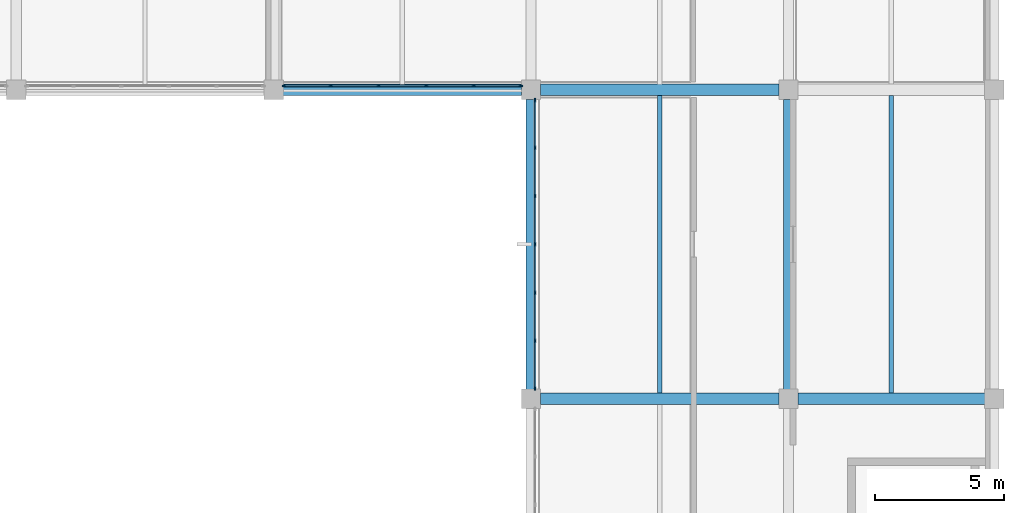
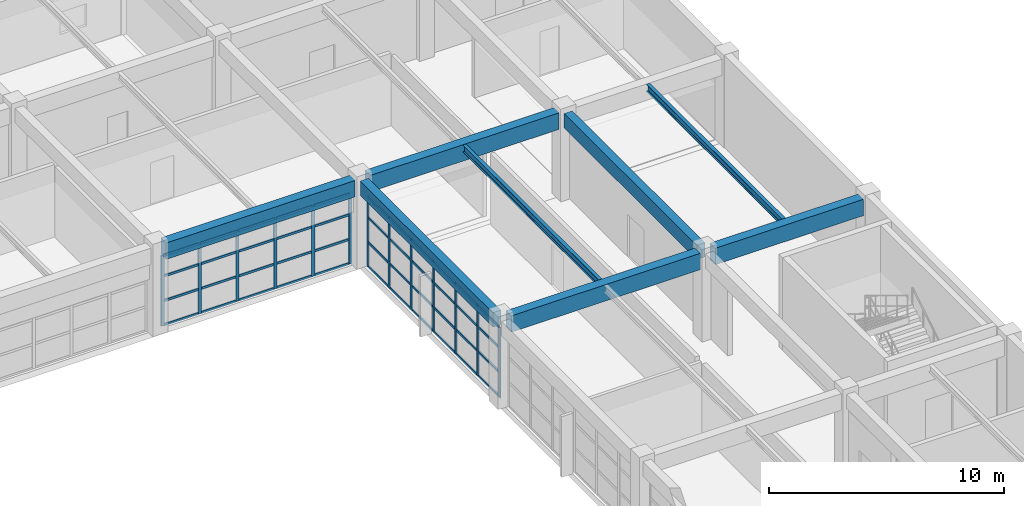
# One storey, part 59 of 109: 57 members, 8 beams, 2 elements without a shape of their own.
"""IFC4 building model written with IfcOpenShell, lengths in metres."""

from ifc_helpers import new_model, si_unit, direction, frame, origin, origin_2d, place, context, subcontext, project, spatial, rectangle, i_section, extrude, material, layer, layer_set, material_profile, profile_set, type_object, element, aggregate, save


model = new_model("IFC4")

# Units and contexts
model_context = context("Model", 3, precision=1e-05, world=origin(), true_north=direction((0.0, 1.0)))
body_context = subcontext(model_context, "Body", "Model", "MODEL_VIEW")
ifc_project = project(units=[si_unit("LENGTHUNIT", "METRE"), si_unit("AREAUNIT", "SQUARE_METRE"), si_unit("VOLUMEUNIT", "CUBIC_METRE"), si_unit("PLANEANGLEUNIT", "RADIAN"), si_unit("MASSUNIT", "GRAM", prefix="KILO")], contexts=[model_context])

# Site, building, storey
site_placement = place(None, origin())
site = spatial("IfcSite", under=ifc_project, at=site_placement, CompositionType="ELEMENT")
building_placement = place(site_placement, origin())
building = spatial("IfcBuilding", under=site, at=building_placement, Name="Kivolera Central Railway Station", CompositionType="ELEMENT")
storey_placement = place(building_placement, frame((0.0, 0.0, 9.60009765625)))
storey = spatial("IfcBuildingStorey", under=building, at=storey_placement, Name="L02", CompositionType="ELEMENT", Elevation=9.60009765625)

# Beams
ifc_material_1 = material(Name="Steel S355", Category="steel")
ifc_material_profile_1 = material_profile(ifc_material_1, i_section(OverallWidth=0.169921875, OverallDepth=0.360107421875, WebThickness=0.008056640625, FlangeThickness=0.0126953125, FilletRadius=0.01806640625, at=origin_2d()), Name="IPE 360")
ifc_profile_set_1 = profile_set([ifc_material_profile_1], Name="Steel S355")
beam_type_1 = type_object("IfcBeamType", Name="BM-JST-IPE360", PredefinedType="JOIST", material=ifc_profile_set_1)
for number, where, z_axis, x_axis, name in (
    (1, (183.0, 102.217041015625, 4.327880859375), (0.0, 1.0, 0.0), (-1.0, 0.0, 0.0), "L02 Floor Joist 18-19/J-K"),
    (2, (192.0, 102.217041015625, 4.327880859375), (0.0, 1.0, 0.0), (-1.0, 0.0, 0.0), "L02 Floor Joist 19-20/J-K"),
):
    element("IfcBeam", number, at=place(storey_placement, frame(where, z_axis=z_axis, x_axis=x_axis)), inside=storey, type_object=beam_type_1, Name=name, PredefinedType="JOIST", context=body_context, shape_type="SweptSolid", body=[
        extrude(i_section(OverallWidth=0.169921875, OverallDepth=0.360107421875, WebThickness=0.008056640625, FlangeThickness=0.0126953125, FilletRadius=0.01806640625, at=origin_2d()), origin(), (0.0, 0.0, 1.0), 11.56591796875),
    ])
ifc_material_2 = material(Name="Concrete C40/50", Category="concrete")
ifc_material_profile_2 = material_profile(ifc_material_2, rectangle(XDim=0.39990234375, YDim=0.75, at=origin_2d()), Name="RC 400x750")
ifc_profile_set_2 = profile_set([ifc_material_profile_2], Name="Concrete C40/50")
beam_type_2 = type_object("IfcBeamType", Name="BM-RC-400x750", PredefinedType="BEAM", material=ifc_profile_set_2)
for number, where, z_axis, x_axis, name in (
    (3, (178.0, 102.366943359375, 4.14501953125), (0.0, 1.0, 0.0), (-1.0, 0.0, 0.0), "L02 Wing Y-Beam 18:J-K"),
    (4, (188.0, 102.366943359375, 4.14501953125), (0.0, 1.0, 0.0), (-1.0, 0.0, 0.0), "L02 Wing Y-Beam 19:J-K"),
):
    element("IfcBeam", number, at=place(storey_placement, frame(where, z_axis=z_axis, x_axis=x_axis)), inside=storey, type_object=beam_type_2, Name=name, PredefinedType="BEAM", context=body_context, shape_type="SweptSolid", body=[
        extrude(rectangle(XDim=0.39990234375, YDim=0.75, at=origin_2d()), origin(), (0.0, 0.0, 1.0), 11.26611328125),
    ])
ifc_material_profile_3 = material_profile(ifc_material_2, rectangle(XDim=0.449951171875, YDim=0.85009765625, at=origin_2d()), Name="RC 450x850")
ifc_profile_set_3 = profile_set([ifc_material_profile_3], Name="Concrete C40/50")
beam_type_3 = type_object("IfcBeamType", Name="BM-RC-450x850", PredefinedType="BEAM", material=ifc_profile_set_3)
beam_1_placement = place(storey_placement, frame((178.366943359375, 102.0, 4.094970703125), z_axis=(1.0, 0.0, 0.0), x_axis=(0.0, 1.0, 0.0)))
element("IfcBeam", 5, at=beam_1_placement, inside=storey, type_object=beam_type_3, Name="L02 Wing X-Beam J:18-19", PredefinedType="BEAM", context=body_context, shape_type="SweptSolid", body=[
    extrude(rectangle(XDim=0.449951171875, YDim=0.85009765625, at=origin_2d()), origin(), (0.0, 0.0, 1.0), 9.26611328125),
])
beam_2_placement = place(storey_placement, frame((188.366943359375, 102.0, 4.094970703125), z_axis=(1.0, 0.0, 0.0), x_axis=(0.0, 1.0, 0.0)))
element("IfcBeam", 6, at=beam_2_placement, inside=storey, type_object=beam_type_3, Name="L02 Wing X-Beam J:19-20", PredefinedType="BEAM", context=body_context, shape_type="SweptSolid", body=[
    extrude(rectangle(XDim=0.449951171875, YDim=0.85009765625, at=origin_2d()), origin(), (0.0, 0.0, 1.0), 7.26611328125),
])
for number, where, z_axis, x_axis, name in (
    (7, (168.366943359375, 114.0, 4.094970703125), (1.0, 0.0, 0.0), (0.0, 1.0, 0.0), "L02 Wing X-Beam K:17-18"),
    (8, (178.366943359375, 114.0, 4.094970703125), (1.0, 0.0, 0.0), (0.0, 1.0, 0.0), "L02 Wing X-Beam K:18-19"),
):
    element("IfcBeam", number, at=place(storey_placement, frame(where, z_axis=z_axis, x_axis=x_axis)), inside=storey, type_object=beam_type_3, Name=name, PredefinedType="BEAM", context=body_context, shape_type="SweptSolid", body=[
        extrude(rectangle(XDim=0.449951171875, YDim=0.85009765625, at=origin_2d()), origin(), (0.0, 0.0, 1.0), 9.26611328125),
    ])

# Curtain wall, members
ifc_material_3 = material(Name="Anodised aluminium", Category="aluminium")
ifc_layer_1 = layer(ifc_material_3, 0.179931640625, Name="Anodised aluminium")
ifc_layer_set_1 = layer_set([ifc_layer_1], Name="Anodised aluminium")
curtain_wall_type_1 = type_object("IfcCurtainWallType", Name="CW-SYS-27", PredefinedType="NOTDEFINED", material=ifc_layer_set_1)
curtain_wall_1_placement = place(storey_placement, origin())
curtain_wall_1 = element("IfcCurtainWall", 9, at=curtain_wall_1_placement, inside=storey, type_object=curtain_wall_type_1, Name="L02 Curtain Wall CW-L02-CRTN-168", PredefinedType="NOTDEFINED")
ifc_material_profile_4 = material_profile(ifc_material_3, rectangle(XDim=0.06005859375, YDim=0.14990234375, at=origin_2d()), Name="ALU MULL 60x150")
ifc_profile_set_4 = profile_set([ifc_material_profile_4], Name="Anodised aluminium")
member_type_1 = type_object("IfcMemberType", Name="CWM-MUL-2", PredefinedType="MULLION", material=ifc_profile_set_4)
member_1_placement = place(storey_placement, frame((177.60009765625, 114.153076171875, -0.005126953125), z_axis=(0.0, 0.0, 1.0), x_axis=(0.0, -1.0, 0.0)))
member_1 = element("IfcMember", 10, at=member_1_placement, type_object=member_type_1, Name="CW-27 mullion 1", PredefinedType="MULLION", context=body_context, shape_type="SweptSolid", body=[
    extrude(rectangle(XDim=0.06005859375, YDim=0.14990234375, at=origin_2d()), origin(), (0.0, 0.0, 1.0), 3.6630859375),
])
member_2_placement = place(storey_placement, frame((175.778076171875, 114.153076171875, -0.005126953125), z_axis=(0.0, 0.0, 1.0), x_axis=(0.0, -1.0, 0.0)))
member_2 = element("IfcMember", 11, at=member_2_placement, type_object=member_type_1, Name="CW-27 mullion 2", PredefinedType="MULLION", context=body_context, shape_type="SweptSolid", body=[
    extrude(rectangle(XDim=0.06005859375, YDim=0.14990234375, at=origin_2d()), origin(), (0.0, 0.0, 1.0), 3.6630859375),
])
member_3_placement = place(storey_placement, frame((173.926025390625, 114.153076171875, -0.005126953125), z_axis=(0.0, 0.0, 1.0), x_axis=(0.0, -1.0, 0.0)))
member_3 = element("IfcMember", 12, at=member_3_placement, type_object=member_type_1, Name="CW-27 mullion 3", PredefinedType="MULLION", context=body_context, shape_type="SweptSolid", body=[
    extrude(rectangle(XDim=0.06005859375, YDim=0.14990234375, at=origin_2d()), origin(), (0.0, 0.0, 1.0), 3.6630859375),
])
member_4_placement = place(storey_placement, frame((172.073974609375, 114.153076171875, -0.005126953125), z_axis=(0.0, 0.0, 1.0), x_axis=(0.0, -1.0, 0.0)))
member_4 = element("IfcMember", 13, at=member_4_placement, type_object=member_type_1, Name="CW-27 mullion 4", PredefinedType="MULLION", context=body_context, shape_type="SweptSolid", body=[
    extrude(rectangle(XDim=0.06005859375, YDim=0.14990234375, at=origin_2d()), origin(), (0.0, 0.0, 1.0), 3.6630859375),
])
member_5_placement = place(storey_placement, frame((170.221923828125, 114.153076171875, -0.005126953125), z_axis=(0.0, 0.0, 1.0), x_axis=(0.0, -1.0, 0.0)))
member_5 = element("IfcMember", 14, at=member_5_placement, type_object=member_type_1, Name="CW-27 mullion 5", PredefinedType="MULLION", context=body_context, shape_type="SweptSolid", body=[
    extrude(rectangle(XDim=0.06005859375, YDim=0.14990234375, at=origin_2d()), origin(), (0.0, 0.0, 1.0), 3.6630859375),
])
member_6_placement = place(storey_placement, frame((168.39990234375, 114.153076171875, -0.005126953125), z_axis=(0.0, 0.0, 1.0), x_axis=(0.0, -1.0, 0.0)))
member_6 = element("IfcMember", 15, at=member_6_placement, type_object=member_type_1, Name="CW-27 mullion 6", PredefinedType="MULLION", context=body_context, shape_type="SweptSolid", body=[
    extrude(rectangle(XDim=0.06005859375, YDim=0.14990234375, at=origin_2d()), origin(), (0.0, 0.0, 1.0), 3.6630859375),
])

ifc_layer_2 = layer(ifc_material_3, 0.179931640625, Name="Anodised aluminium")
ifc_layer_set_2 = layer_set([ifc_layer_2], Name="Anodised aluminium")
curtain_wall_type_2 = type_object("IfcCurtainWallType", Name="CW-SYS-28", PredefinedType="NOTDEFINED", material=ifc_layer_set_2)
curtain_wall_2_placement = place(storey_placement, origin())
curtain_wall_2 = element("IfcCurtainWall", 16, at=curtain_wall_2_placement, inside=storey, type_object=curtain_wall_type_2, Name="L02 Curtain Wall CW-L02-CRTE-J", PredefinedType="NOTDEFINED")
member_7_placement = place(storey_placement, frame((178.153076171875, 102.39990234375, -0.005126953125), z_axis=(0.0, 0.0, 1.0), x_axis=(-1.0, 0.0, 0.0)))
member_7 = element("IfcMember", 17, at=member_7_placement, type_object=member_type_1, Name="CW-28 mullion 1", PredefinedType="MULLION", context=body_context, shape_type="SweptSolid", body=[
    extrude(rectangle(XDim=0.06005859375, YDim=0.14990234375, at=origin_2d()), origin(), (0.0, 0.0, 1.0), 3.6630859375),
])
member_8_placement = place(storey_placement, frame((178.153076171875, 104.24658203125, -0.005126953125), z_axis=(0.0, 0.0, 1.0), x_axis=(-1.0, 0.0, 0.0)))
member_8 = element("IfcMember", 18, at=member_8_placement, type_object=member_type_1, Name="CW-28 mullion 2", PredefinedType="MULLION", context=body_context, shape_type="SweptSolid", body=[
    extrude(rectangle(XDim=0.06005859375, YDim=0.14990234375, at=origin_2d()), origin(), (0.0, 0.0, 1.0), 3.6630859375),
])
member_9_placement = place(storey_placement, frame((178.153076171875, 106.123291015625, -0.005126953125), z_axis=(0.0, 0.0, 1.0), x_axis=(-1.0, 0.0, 0.0)))
member_9 = element("IfcMember", 19, at=member_9_placement, type_object=member_type_1, Name="CW-28 mullion 3", PredefinedType="MULLION", context=body_context, shape_type="SweptSolid", body=[
    extrude(rectangle(XDim=0.06005859375, YDim=0.14990234375, at=origin_2d()), origin(), (0.0, 0.0, 1.0), 3.6630859375),
])
member_10_placement = place(storey_placement, frame((178.153076171875, 108.0, -0.005126953125), z_axis=(0.0, 0.0, 1.0), x_axis=(-1.0, 0.0, 0.0)))
member_10 = element("IfcMember", 20, at=member_10_placement, type_object=member_type_1, Name="CW-28 mullion 4", PredefinedType="MULLION", context=body_context, shape_type="SweptSolid", body=[
    extrude(rectangle(XDim=0.06005859375, YDim=0.14990234375, at=origin_2d()), origin(), (0.0, 0.0, 1.0), 3.6630859375),
])
member_11_placement = place(storey_placement, frame((178.153076171875, 109.876708984375, -0.005126953125), z_axis=(0.0, 0.0, 1.0), x_axis=(-1.0, 0.0, 0.0)))
member_11 = element("IfcMember", 21, at=member_11_placement, type_object=member_type_1, Name="CW-28 mullion 5", PredefinedType="MULLION", context=body_context, shape_type="SweptSolid", body=[
    extrude(rectangle(XDim=0.06005859375, YDim=0.14990234375, at=origin_2d()), origin(), (0.0, 0.0, 1.0), 3.6630859375),
])
member_12_placement = place(storey_placement, frame((178.153076171875, 111.75341796875, -0.005126953125), z_axis=(0.0, 0.0, 1.0), x_axis=(-1.0, 0.0, 0.0)))
member_12 = element("IfcMember", 22, at=member_12_placement, type_object=member_type_1, Name="CW-28 mullion 6", PredefinedType="MULLION", context=body_context, shape_type="SweptSolid", body=[
    extrude(rectangle(XDim=0.06005859375, YDim=0.14990234375, at=origin_2d()), origin(), (0.0, 0.0, 1.0), 3.6630859375),
])
member_13_placement = place(storey_placement, frame((178.153076171875, 113.60009765625, -0.005126953125), z_axis=(0.0, 0.0, 1.0), x_axis=(-1.0, 0.0, 0.0)))
member_13 = element("IfcMember", 23, at=member_13_placement, type_object=member_type_1, Name="CW-28 mullion 7", PredefinedType="MULLION", context=body_context, shape_type="SweptSolid", body=[
    extrude(rectangle(XDim=0.06005859375, YDim=0.14990234375, at=origin_2d()), origin(), (0.0, 0.0, 1.0), 3.6630859375),
])

# Member
ifc_material_profile_5 = material_profile(ifc_material_3, rectangle(XDim=0.06005859375, YDim=0.1201171875, at=origin_2d()), Name="ALU TRAN 60x120")
ifc_profile_set_5 = profile_set([ifc_material_profile_5], Name="Anodised aluminium")
member_type_2 = type_object("IfcMemberType", Name="CWM-TRN-2", PredefinedType="USERDEFINED", material=ifc_profile_set_5)
member_14_placement = place(storey_placement, frame((177.570068359375, 114.153076171875, 0.02978515625), z_axis=(-1.0, 0.0, 0.0), x_axis=(0.0, -1.0, 0.0)))
member_14 = element("IfcMember", 24, at=member_14_placement, type_object=member_type_2, Name="CW-27 transom 1.1", ObjectType="TRANSOM", PredefinedType="USERDEFINED", context=body_context, shape_type="SweptSolid", body=[
    extrude(rectangle(XDim=0.06005859375, YDim=0.1201171875, at=origin_2d()), origin(), (0.0, 0.0, 1.0), 1.761962890625),
])

member_15_placement = place(storey_placement, frame((177.570068359375, 114.153076171875, 1.2802734375), z_axis=(-1.0, 0.0, 0.0), x_axis=(0.0, -1.0, 0.0)))
member_15 = element("IfcMember", 25, at=member_15_placement, type_object=member_type_2, Name="CW-27 transom 1.2", ObjectType="TRANSOM", PredefinedType="USERDEFINED", context=body_context, shape_type="SweptSolid", body=[
    extrude(rectangle(XDim=0.06005859375, YDim=0.1201171875, at=origin_2d()), origin(), (0.0, 0.0, 1.0), 1.761962890625),
])

member_16_placement = place(storey_placement, frame((177.570068359375, 114.153076171875, 2.560546875), z_axis=(-1.0, 0.0, 0.0), x_axis=(0.0, -1.0, 0.0)))
member_16 = element("IfcMember", 26, at=member_16_placement, type_object=member_type_2, Name="CW-27 transom 1.3", ObjectType="TRANSOM", PredefinedType="USERDEFINED", context=body_context, shape_type="SweptSolid", body=[
    extrude(rectangle(XDim=0.06005859375, YDim=0.1201171875, at=origin_2d()), origin(), (0.0, 0.0, 1.0), 1.761962890625),
])

member_17_placement = place(storey_placement, frame((177.570068359375, 114.153076171875, 3.6279296875), z_axis=(-1.0, 0.0, 0.0), x_axis=(0.0, -1.0, 0.0)))
member_17 = element("IfcMember", 27, at=member_17_placement, type_object=member_type_2, Name="CW-27 transom 1.4", ObjectType="TRANSOM", PredefinedType="USERDEFINED", context=body_context, shape_type="SweptSolid", body=[
    extrude(rectangle(XDim=0.06005859375, YDim=0.1201171875, at=origin_2d()), origin(), (0.0, 0.0, 1.0), 1.761962890625),
])

member_18_placement = place(storey_placement, frame((175.748046875, 114.153076171875, 0.02978515625), z_axis=(-1.0, 0.0, 0.0), x_axis=(0.0, -1.0, 0.0)))
member_18 = element("IfcMember", 28, at=member_18_placement, type_object=member_type_2, Name="CW-27 transom 2.1", ObjectType="TRANSOM", PredefinedType="USERDEFINED", context=body_context, shape_type="SweptSolid", body=[
    extrude(rectangle(XDim=0.06005859375, YDim=0.1201171875, at=origin_2d()), origin(), (0.0, 0.0, 1.0), 1.7919921875),
])

member_19_placement = place(storey_placement, frame((175.748046875, 114.153076171875, 1.2802734375), z_axis=(-1.0, 0.0, 0.0), x_axis=(0.0, -1.0, 0.0)))
member_19 = element("IfcMember", 29, at=member_19_placement, type_object=member_type_2, Name="CW-27 transom 2.2", ObjectType="TRANSOM", PredefinedType="USERDEFINED", context=body_context, shape_type="SweptSolid", body=[
    extrude(rectangle(XDim=0.06005859375, YDim=0.1201171875, at=origin_2d()), origin(), (0.0, 0.0, 1.0), 1.7919921875),
])

member_20_placement = place(storey_placement, frame((175.748046875, 114.153076171875, 2.560546875), z_axis=(-1.0, 0.0, 0.0), x_axis=(0.0, -1.0, 0.0)))
member_20 = element("IfcMember", 30, at=member_20_placement, type_object=member_type_2, Name="CW-27 transom 2.3", ObjectType="TRANSOM", PredefinedType="USERDEFINED", context=body_context, shape_type="SweptSolid", body=[
    extrude(rectangle(XDim=0.06005859375, YDim=0.1201171875, at=origin_2d()), origin(), (0.0, 0.0, 1.0), 1.7919921875),
])

member_21_placement = place(storey_placement, frame((175.748046875, 114.153076171875, 3.6279296875), z_axis=(-1.0, 0.0, 0.0), x_axis=(0.0, -1.0, 0.0)))
member_21 = element("IfcMember", 31, at=member_21_placement, type_object=member_type_2, Name="CW-27 transom 2.4", ObjectType="TRANSOM", PredefinedType="USERDEFINED", context=body_context, shape_type="SweptSolid", body=[
    extrude(rectangle(XDim=0.06005859375, YDim=0.1201171875, at=origin_2d()), origin(), (0.0, 0.0, 1.0), 1.7919921875),
])

member_22_placement = place(storey_placement, frame((173.89599609375, 114.153076171875, 0.02978515625), z_axis=(-1.0, 0.0, 0.0), x_axis=(0.0, -1.0, 0.0)))
member_22 = element("IfcMember", 32, at=member_22_placement, type_object=member_type_2, Name="CW-27 transom 3.1", ObjectType="TRANSOM", PredefinedType="USERDEFINED", context=body_context, shape_type="SweptSolid", body=[
    extrude(rectangle(XDim=0.06005859375, YDim=0.1201171875, at=origin_2d()), origin(), (0.0, 0.0, 1.0), 1.7919921875),
])

member_23_placement = place(storey_placement, frame((173.89599609375, 114.153076171875, 1.2802734375), z_axis=(-1.0, 0.0, 0.0), x_axis=(0.0, -1.0, 0.0)))
member_23 = element("IfcMember", 33, at=member_23_placement, type_object=member_type_2, Name="CW-27 transom 3.2", ObjectType="TRANSOM", PredefinedType="USERDEFINED", context=body_context, shape_type="SweptSolid", body=[
    extrude(rectangle(XDim=0.06005859375, YDim=0.1201171875, at=origin_2d()), origin(), (0.0, 0.0, 1.0), 1.7919921875),
])

member_24_placement = place(storey_placement, frame((173.89599609375, 114.153076171875, 2.560546875), z_axis=(-1.0, 0.0, 0.0), x_axis=(0.0, -1.0, 0.0)))
member_24 = element("IfcMember", 34, at=member_24_placement, type_object=member_type_2, Name="CW-27 transom 3.3", ObjectType="TRANSOM", PredefinedType="USERDEFINED", context=body_context, shape_type="SweptSolid", body=[
    extrude(rectangle(XDim=0.06005859375, YDim=0.1201171875, at=origin_2d()), origin(), (0.0, 0.0, 1.0), 1.7919921875),
])

member_25_placement = place(storey_placement, frame((173.89599609375, 114.153076171875, 3.6279296875), z_axis=(-1.0, 0.0, 0.0), x_axis=(0.0, -1.0, 0.0)))
member_25 = element("IfcMember", 35, at=member_25_placement, type_object=member_type_2, Name="CW-27 transom 3.4", ObjectType="TRANSOM", PredefinedType="USERDEFINED", context=body_context, shape_type="SweptSolid", body=[
    extrude(rectangle(XDim=0.06005859375, YDim=0.1201171875, at=origin_2d()), origin(), (0.0, 0.0, 1.0), 1.7919921875),
])

member_26_placement = place(storey_placement, frame((172.0439453125, 114.153076171875, 0.02978515625), z_axis=(-1.0, 0.0, 0.0), x_axis=(0.0, -1.0, 0.0)))
member_26 = element("IfcMember", 36, at=member_26_placement, type_object=member_type_2, Name="CW-27 transom 4.1", ObjectType="TRANSOM", PredefinedType="USERDEFINED", context=body_context, shape_type="SweptSolid", body=[
    extrude(rectangle(XDim=0.06005859375, YDim=0.1201171875, at=origin_2d()), origin(), (0.0, 0.0, 1.0), 1.7919921875),
])

member_27_placement = place(storey_placement, frame((172.0439453125, 114.153076171875, 1.2802734375), z_axis=(-1.0, 0.0, 0.0), x_axis=(0.0, -1.0, 0.0)))
member_27 = element("IfcMember", 37, at=member_27_placement, type_object=member_type_2, Name="CW-27 transom 4.2", ObjectType="TRANSOM", PredefinedType="USERDEFINED", context=body_context, shape_type="SweptSolid", body=[
    extrude(rectangle(XDim=0.06005859375, YDim=0.1201171875, at=origin_2d()), origin(), (0.0, 0.0, 1.0), 1.7919921875),
])

member_28_placement = place(storey_placement, frame((172.0439453125, 114.153076171875, 2.560546875), z_axis=(-1.0, 0.0, 0.0), x_axis=(0.0, -1.0, 0.0)))
member_28 = element("IfcMember", 38, at=member_28_placement, type_object=member_type_2, Name="CW-27 transom 4.3", ObjectType="TRANSOM", PredefinedType="USERDEFINED", context=body_context, shape_type="SweptSolid", body=[
    extrude(rectangle(XDim=0.06005859375, YDim=0.1201171875, at=origin_2d()), origin(), (0.0, 0.0, 1.0), 1.7919921875),
])

member_29_placement = place(storey_placement, frame((172.0439453125, 114.153076171875, 3.6279296875), z_axis=(-1.0, 0.0, 0.0), x_axis=(0.0, -1.0, 0.0)))
member_29 = element("IfcMember", 39, at=member_29_placement, type_object=member_type_2, Name="CW-27 transom 4.4", ObjectType="TRANSOM", PredefinedType="USERDEFINED", context=body_context, shape_type="SweptSolid", body=[
    extrude(rectangle(XDim=0.06005859375, YDim=0.1201171875, at=origin_2d()), origin(), (0.0, 0.0, 1.0), 1.7919921875),
])

member_30_placement = place(storey_placement, frame((170.19189453125, 114.153076171875, 0.02978515625), z_axis=(-1.0, 0.0, 0.0), x_axis=(0.0, -1.0, 0.0)))
member_30 = element("IfcMember", 40, at=member_30_placement, type_object=member_type_2, Name="CW-27 transom 5.1", ObjectType="TRANSOM", PredefinedType="USERDEFINED", context=body_context, shape_type="SweptSolid", body=[
    extrude(rectangle(XDim=0.06005859375, YDim=0.1201171875, at=origin_2d()), origin(), (0.0, 0.0, 1.0), 1.761962890625),
])

member_31_placement = place(storey_placement, frame((170.19189453125, 114.153076171875, 1.2802734375), z_axis=(-1.0, 0.0, 0.0), x_axis=(0.0, -1.0, 0.0)))
member_31 = element("IfcMember", 41, at=member_31_placement, type_object=member_type_2, Name="CW-27 transom 5.2", ObjectType="TRANSOM", PredefinedType="USERDEFINED", context=body_context, shape_type="SweptSolid", body=[
    extrude(rectangle(XDim=0.06005859375, YDim=0.1201171875, at=origin_2d()), origin(), (0.0, 0.0, 1.0), 1.761962890625),
])

member_32_placement = place(storey_placement, frame((170.19189453125, 114.153076171875, 2.560546875), z_axis=(-1.0, 0.0, 0.0), x_axis=(0.0, -1.0, 0.0)))
member_32 = element("IfcMember", 42, at=member_32_placement, type_object=member_type_2, Name="CW-27 transom 5.3", ObjectType="TRANSOM", PredefinedType="USERDEFINED", context=body_context, shape_type="SweptSolid", body=[
    extrude(rectangle(XDim=0.06005859375, YDim=0.1201171875, at=origin_2d()), origin(), (0.0, 0.0, 1.0), 1.761962890625),
])

member_33_placement = place(storey_placement, frame((170.19189453125, 114.153076171875, 3.6279296875), z_axis=(-1.0, 0.0, 0.0), x_axis=(0.0, -1.0, 0.0)))
member_33 = element("IfcMember", 43, at=member_33_placement, type_object=member_type_2, Name="CW-27 transom 5.4", ObjectType="TRANSOM", PredefinedType="USERDEFINED", context=body_context, shape_type="SweptSolid", body=[
    extrude(rectangle(XDim=0.06005859375, YDim=0.1201171875, at=origin_2d()), origin(), (0.0, 0.0, 1.0), 1.761962890625),
])

aggregate(curtain_wall_1, [member_1, member_2, member_3, member_4, member_5, member_6, member_14, member_15, member_16, member_17, member_18, member_19, member_20, member_21, member_22, member_23, member_24, member_25, member_26, member_27, member_28, member_29, member_30, member_31, member_32, member_33])

member_34_placement = place(storey_placement, frame((178.153076171875, 102.429931640625, 0.02978515625), z_axis=(0.0, 1.0, 0.0), x_axis=(-1.0, 0.0, 0.0)))
member_34 = element("IfcMember", 44, at=member_34_placement, type_object=member_type_2, Name="CW-28 transom 1.1", ObjectType="TRANSOM", PredefinedType="USERDEFINED", context=body_context, shape_type="SweptSolid", body=[
    extrude(rectangle(XDim=0.06005859375, YDim=0.1201171875, at=origin_2d()), origin(), (0.0, 0.0, 1.0), 1.78662109375),
])

member_35_placement = place(storey_placement, frame((178.153076171875, 102.429931640625, 1.2802734375), z_axis=(0.0, 1.0, 0.0), x_axis=(-1.0, 0.0, 0.0)))
member_35 = element("IfcMember", 45, at=member_35_placement, type_object=member_type_2, Name="CW-28 transom 1.2", ObjectType="TRANSOM", PredefinedType="USERDEFINED", context=body_context, shape_type="SweptSolid", body=[
    extrude(rectangle(XDim=0.06005859375, YDim=0.1201171875, at=origin_2d()), origin(), (0.0, 0.0, 1.0), 1.78662109375),
])

member_36_placement = place(storey_placement, frame((178.153076171875, 102.429931640625, 2.560546875), z_axis=(0.0, 1.0, 0.0), x_axis=(-1.0, 0.0, 0.0)))
member_36 = element("IfcMember", 46, at=member_36_placement, type_object=member_type_2, Name="CW-28 transom 1.3", ObjectType="TRANSOM", PredefinedType="USERDEFINED", context=body_context, shape_type="SweptSolid", body=[
    extrude(rectangle(XDim=0.06005859375, YDim=0.1201171875, at=origin_2d()), origin(), (0.0, 0.0, 1.0), 1.78662109375),
])

member_37_placement = place(storey_placement, frame((178.153076171875, 102.429931640625, 3.6279296875), z_axis=(0.0, 1.0, 0.0), x_axis=(-1.0, 0.0, 0.0)))
member_37 = element("IfcMember", 47, at=member_37_placement, type_object=member_type_2, Name="CW-28 transom 1.4", ObjectType="TRANSOM", PredefinedType="USERDEFINED", context=body_context, shape_type="SweptSolid", body=[
    extrude(rectangle(XDim=0.06005859375, YDim=0.1201171875, at=origin_2d()), origin(), (0.0, 0.0, 1.0), 1.78662109375),
])

member_38_placement = place(storey_placement, frame((178.153076171875, 104.276611328125, 0.02978515625), z_axis=(0.0, 1.0, 0.0), x_axis=(-1.0, 0.0, 0.0)))
member_38 = element("IfcMember", 48, at=member_38_placement, type_object=member_type_2, Name="CW-28 transom 2.1", ObjectType="TRANSOM", PredefinedType="USERDEFINED", context=body_context, shape_type="SweptSolid", body=[
    extrude(rectangle(XDim=0.06005859375, YDim=0.1201171875, at=origin_2d()), origin(), (0.0, 0.0, 1.0), 1.816650390625),
])

member_39_placement = place(storey_placement, frame((178.153076171875, 104.276611328125, 1.2802734375), z_axis=(0.0, 1.0, 0.0), x_axis=(-1.0, 0.0, 0.0)))
member_39 = element("IfcMember", 49, at=member_39_placement, type_object=member_type_2, Name="CW-28 transom 2.2", ObjectType="TRANSOM", PredefinedType="USERDEFINED", context=body_context, shape_type="SweptSolid", body=[
    extrude(rectangle(XDim=0.06005859375, YDim=0.1201171875, at=origin_2d()), origin(), (0.0, 0.0, 1.0), 1.816650390625),
])

member_40_placement = place(storey_placement, frame((178.153076171875, 104.276611328125, 2.560546875), z_axis=(0.0, 1.0, 0.0), x_axis=(-1.0, 0.0, 0.0)))
member_40 = element("IfcMember", 50, at=member_40_placement, type_object=member_type_2, Name="CW-28 transom 2.3", ObjectType="TRANSOM", PredefinedType="USERDEFINED", context=body_context, shape_type="SweptSolid", body=[
    extrude(rectangle(XDim=0.06005859375, YDim=0.1201171875, at=origin_2d()), origin(), (0.0, 0.0, 1.0), 1.816650390625),
])

member_41_placement = place(storey_placement, frame((178.153076171875, 104.276611328125, 3.6279296875), z_axis=(0.0, 1.0, 0.0), x_axis=(-1.0, 0.0, 0.0)))
member_41 = element("IfcMember", 51, at=member_41_placement, type_object=member_type_2, Name="CW-28 transom 2.4", ObjectType="TRANSOM", PredefinedType="USERDEFINED", context=body_context, shape_type="SweptSolid", body=[
    extrude(rectangle(XDim=0.06005859375, YDim=0.1201171875, at=origin_2d()), origin(), (0.0, 0.0, 1.0), 1.816650390625),
])

member_42_placement = place(storey_placement, frame((178.153076171875, 106.1533203125, 0.02978515625), z_axis=(0.0, 1.0, 0.0), x_axis=(-1.0, 0.0, 0.0)))
member_42 = element("IfcMember", 52, at=member_42_placement, type_object=member_type_2, Name="CW-28 transom 3.1", ObjectType="TRANSOM", PredefinedType="USERDEFINED", context=body_context, shape_type="SweptSolid", body=[
    extrude(rectangle(XDim=0.06005859375, YDim=0.1201171875, at=origin_2d()), origin(), (0.0, 0.0, 1.0), 1.816650390625),
])

member_43_placement = place(storey_placement, frame((178.153076171875, 106.1533203125, 1.2802734375), z_axis=(0.0, 1.0, 0.0), x_axis=(-1.0, 0.0, 0.0)))
member_43 = element("IfcMember", 53, at=member_43_placement, type_object=member_type_2, Name="CW-28 transom 3.2", ObjectType="TRANSOM", PredefinedType="USERDEFINED", context=body_context, shape_type="SweptSolid", body=[
    extrude(rectangle(XDim=0.06005859375, YDim=0.1201171875, at=origin_2d()), origin(), (0.0, 0.0, 1.0), 1.816650390625),
])

member_44_placement = place(storey_placement, frame((178.153076171875, 106.1533203125, 2.560546875), z_axis=(0.0, 1.0, 0.0), x_axis=(-1.0, 0.0, 0.0)))
member_44 = element("IfcMember", 54, at=member_44_placement, type_object=member_type_2, Name="CW-28 transom 3.3", ObjectType="TRANSOM", PredefinedType="USERDEFINED", context=body_context, shape_type="SweptSolid", body=[
    extrude(rectangle(XDim=0.06005859375, YDim=0.1201171875, at=origin_2d()), origin(), (0.0, 0.0, 1.0), 1.816650390625),
])

member_45_placement = place(storey_placement, frame((178.153076171875, 106.1533203125, 3.6279296875), z_axis=(0.0, 1.0, 0.0), x_axis=(-1.0, 0.0, 0.0)))
member_45 = element("IfcMember", 55, at=member_45_placement, type_object=member_type_2, Name="CW-28 transom 3.4", ObjectType="TRANSOM", PredefinedType="USERDEFINED", context=body_context, shape_type="SweptSolid", body=[
    extrude(rectangle(XDim=0.06005859375, YDim=0.1201171875, at=origin_2d()), origin(), (0.0, 0.0, 1.0), 1.816650390625),
])

member_46_placement = place(storey_placement, frame((178.153076171875, 108.030029296875, 0.02978515625), z_axis=(0.0, 1.0, 0.0), x_axis=(-1.0, 0.0, 0.0)))
member_46 = element("IfcMember", 56, at=member_46_placement, type_object=member_type_2, Name="CW-28 transom 4.1", ObjectType="TRANSOM", PredefinedType="USERDEFINED", context=body_context, shape_type="SweptSolid", body=[
    extrude(rectangle(XDim=0.06005859375, YDim=0.1201171875, at=origin_2d()), origin(), (0.0, 0.0, 1.0), 1.816650390625),
])

member_47_placement = place(storey_placement, frame((178.153076171875, 108.030029296875, 1.2802734375), z_axis=(0.0, 1.0, 0.0), x_axis=(-1.0, 0.0, 0.0)))
member_47 = element("IfcMember", 57, at=member_47_placement, type_object=member_type_2, Name="CW-28 transom 4.2", ObjectType="TRANSOM", PredefinedType="USERDEFINED", context=body_context, shape_type="SweptSolid", body=[
    extrude(rectangle(XDim=0.06005859375, YDim=0.1201171875, at=origin_2d()), origin(), (0.0, 0.0, 1.0), 1.816650390625),
])

member_48_placement = place(storey_placement, frame((178.153076171875, 108.030029296875, 2.560546875), z_axis=(0.0, 1.0, 0.0), x_axis=(-1.0, 0.0, 0.0)))
member_48 = element("IfcMember", 58, at=member_48_placement, type_object=member_type_2, Name="CW-28 transom 4.3", ObjectType="TRANSOM", PredefinedType="USERDEFINED", context=body_context, shape_type="SweptSolid", body=[
    extrude(rectangle(XDim=0.06005859375, YDim=0.1201171875, at=origin_2d()), origin(), (0.0, 0.0, 1.0), 1.816650390625),
])

member_49_placement = place(storey_placement, frame((178.153076171875, 108.030029296875, 3.6279296875), z_axis=(0.0, 1.0, 0.0), x_axis=(-1.0, 0.0, 0.0)))
member_49 = element("IfcMember", 59, at=member_49_placement, type_object=member_type_2, Name="CW-28 transom 4.4", ObjectType="TRANSOM", PredefinedType="USERDEFINED", context=body_context, shape_type="SweptSolid", body=[
    extrude(rectangle(XDim=0.06005859375, YDim=0.1201171875, at=origin_2d()), origin(), (0.0, 0.0, 1.0), 1.816650390625),
])

member_50_placement = place(storey_placement, frame((178.153076171875, 109.90673828125, 0.02978515625), z_axis=(0.0, 1.0, 0.0), x_axis=(-1.0, 0.0, 0.0)))
member_50 = element("IfcMember", 60, at=member_50_placement, type_object=member_type_2, Name="CW-28 transom 5.1", ObjectType="TRANSOM", PredefinedType="USERDEFINED", context=body_context, shape_type="SweptSolid", body=[
    extrude(rectangle(XDim=0.06005859375, YDim=0.1201171875, at=origin_2d()), origin(), (0.0, 0.0, 1.0), 1.816650390625),
])

member_51_placement = place(storey_placement, frame((178.153076171875, 109.90673828125, 1.2802734375), z_axis=(0.0, 1.0, 0.0), x_axis=(-1.0, 0.0, 0.0)))
member_51 = element("IfcMember", 61, at=member_51_placement, type_object=member_type_2, Name="CW-28 transom 5.2", ObjectType="TRANSOM", PredefinedType="USERDEFINED", context=body_context, shape_type="SweptSolid", body=[
    extrude(rectangle(XDim=0.06005859375, YDim=0.1201171875, at=origin_2d()), origin(), (0.0, 0.0, 1.0), 1.816650390625),
])

member_52_placement = place(storey_placement, frame((178.153076171875, 109.90673828125, 2.560546875), z_axis=(0.0, 1.0, 0.0), x_axis=(-1.0, 0.0, 0.0)))
member_52 = element("IfcMember", 62, at=member_52_placement, type_object=member_type_2, Name="CW-28 transom 5.3", ObjectType="TRANSOM", PredefinedType="USERDEFINED", context=body_context, shape_type="SweptSolid", body=[
    extrude(rectangle(XDim=0.06005859375, YDim=0.1201171875, at=origin_2d()), origin(), (0.0, 0.0, 1.0), 1.816650390625),
])

member_53_placement = place(storey_placement, frame((178.153076171875, 109.90673828125, 3.6279296875), z_axis=(0.0, 1.0, 0.0), x_axis=(-1.0, 0.0, 0.0)))
member_53 = element("IfcMember", 63, at=member_53_placement, type_object=member_type_2, Name="CW-28 transom 5.4", ObjectType="TRANSOM", PredefinedType="USERDEFINED", context=body_context, shape_type="SweptSolid", body=[
    extrude(rectangle(XDim=0.06005859375, YDim=0.1201171875, at=origin_2d()), origin(), (0.0, 0.0, 1.0), 1.816650390625),
])

member_54_placement = place(storey_placement, frame((178.153076171875, 111.783447265625, 0.02978515625), z_axis=(0.0, 1.0, 0.0), x_axis=(-1.0, 0.0, 0.0)))
member_54 = element("IfcMember", 64, at=member_54_placement, type_object=member_type_2, Name="CW-28 transom 6.1", ObjectType="TRANSOM", PredefinedType="USERDEFINED", context=body_context, shape_type="SweptSolid", body=[
    extrude(rectangle(XDim=0.06005859375, YDim=0.1201171875, at=origin_2d()), origin(), (0.0, 0.0, 1.0), 1.78662109375),
])

member_55_placement = place(storey_placement, frame((178.153076171875, 111.783447265625, 1.2802734375), z_axis=(0.0, 1.0, 0.0), x_axis=(-1.0, 0.0, 0.0)))
member_55 = element("IfcMember", 65, at=member_55_placement, type_object=member_type_2, Name="CW-28 transom 6.2", ObjectType="TRANSOM", PredefinedType="USERDEFINED", context=body_context, shape_type="SweptSolid", body=[
    extrude(rectangle(XDim=0.06005859375, YDim=0.1201171875, at=origin_2d()), origin(), (0.0, 0.0, 1.0), 1.78662109375),
])

member_56_placement = place(storey_placement, frame((178.153076171875, 111.783447265625, 2.560546875), z_axis=(0.0, 1.0, 0.0), x_axis=(-1.0, 0.0, 0.0)))
member_56 = element("IfcMember", 66, at=member_56_placement, type_object=member_type_2, Name="CW-28 transom 6.3", ObjectType="TRANSOM", PredefinedType="USERDEFINED", context=body_context, shape_type="SweptSolid", body=[
    extrude(rectangle(XDim=0.06005859375, YDim=0.1201171875, at=origin_2d()), origin(), (0.0, 0.0, 1.0), 1.78662109375),
])

member_57_placement = place(storey_placement, frame((178.153076171875, 111.783447265625, 3.6279296875), z_axis=(0.0, 1.0, 0.0), x_axis=(-1.0, 0.0, 0.0)))
member_57 = element("IfcMember", 67, at=member_57_placement, type_object=member_type_2, Name="CW-28 transom 6.4", ObjectType="TRANSOM", PredefinedType="USERDEFINED", context=body_context, shape_type="SweptSolid", body=[
    extrude(rectangle(XDim=0.06005859375, YDim=0.1201171875, at=origin_2d()), origin(), (0.0, 0.0, 1.0), 1.78662109375),
])

aggregate(curtain_wall_2, [member_7, member_8, member_9, member_10, member_11, member_12, member_13, member_34, member_35, member_36, member_37, member_38, member_39, member_40, member_41, member_42, member_43, member_44, member_45, member_46, member_47, member_48, member_49, member_50, member_51, member_52, member_53, member_54, member_55, member_56, member_57])

save(model, "model.ifc")
